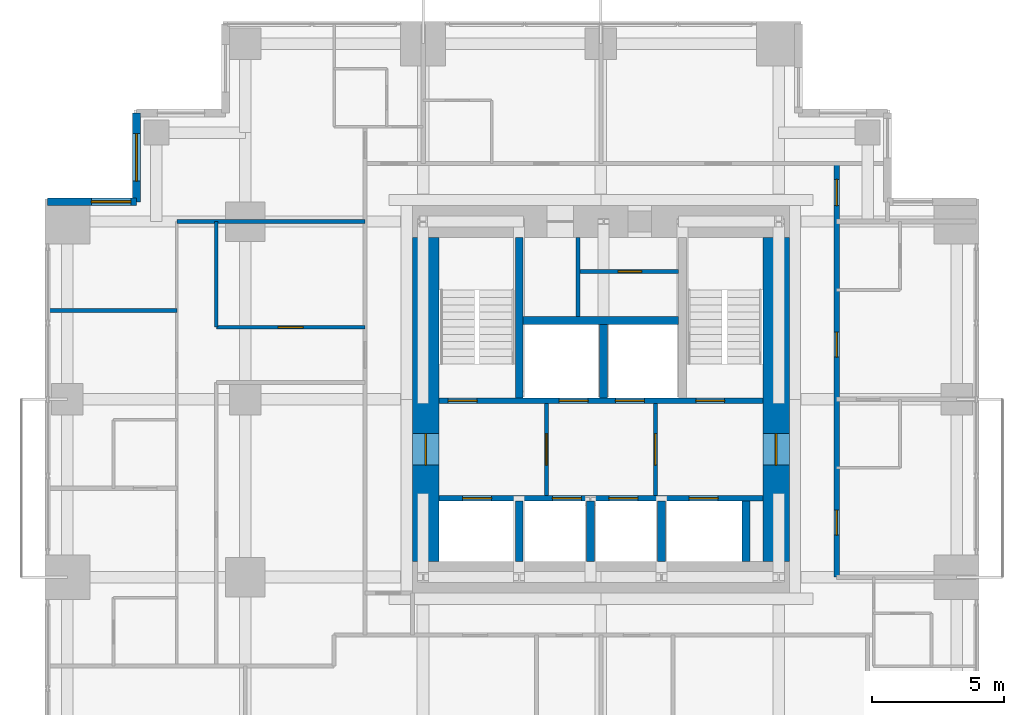
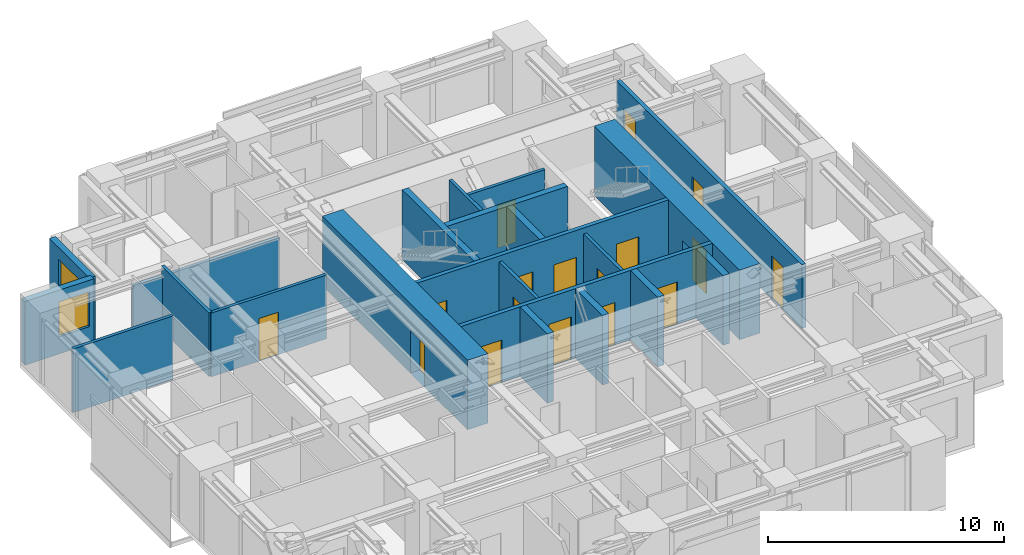
# One storey, part 7 of 10: 22 walls, 17 doors, 2 windows, 19 openings.
"""IFC4 building model written with IfcOpenShell, lengths in metres."""

from ifc_helpers import new_model, si_unit, direction, frame, frame_2d, origin, place, context, subcontext, project, spatial, rectangle, extrude, material, layer, layer_set, type_object, element, fill, save


model = new_model("IFC4")

# Units and contexts
model_context = context("Model", 3, precision=1e-05, world=origin(), true_north=direction((0.0, 1.0)))
body_context = subcontext(model_context, "Body", "Model", "MODEL_VIEW")
ifc_project = project(units=[si_unit("LENGTHUNIT", "METRE"), si_unit("AREAUNIT", "SQUARE_METRE"), si_unit("VOLUMEUNIT", "CUBIC_METRE"), si_unit("PLANEANGLEUNIT", "RADIAN"), si_unit("MASSUNIT", "GRAM", prefix="KILO")], contexts=[model_context])

# Site, building, storey
site_placement = place(None, origin())
site = spatial("IfcSite", under=ifc_project, at=site_placement, CompositionType="ELEMENT")
building_placement = place(site_placement, origin())
building = spatial("IfcBuilding", under=site, at=building_placement, Name="Nyansa Garden Tower", CompositionType="ELEMENT")
storey_placement = place(building_placement, frame((0.0, 0.0, 196.199951171875)))
storey = spatial("IfcBuildingStorey", under=building, at=storey_placement, Name="L53", CompositionType="ELEMENT", Elevation=196.199951171875)

# Wall, openings, doors
ifc_material_1 = material(Name="Concrete C70/85", Category="concrete")
ifc_layer_1 = layer(ifc_material_1, 0.199951171875)
ifc_layer_set_1 = layer_set([ifc_layer_1], Name="Core inner wall CI200")
wall_type_1 = type_object("IfcWallType", Name="Core inner wall CI200", PredefinedType="SHEAR", material=ifc_layer_set_1)
wall_1_placement = place(storey_placement, frame((14.10009765625, 16.5, 0.0), z_axis=(0.0, 0.0, 1.0), x_axis=(1.0, 0.0, 0.0)))
wall_1 = element("IfcWall", 1, at=wall_1_placement, inside=storey, type_object=wall_type_1, Name="Core inner wall L53", PredefinedType="SHEAR", context=body_context, shape_type="SweptSolid", body=[
    extrude(rectangle(XDim=12.2998046875, YDim=0.199951171875, at=frame_2d((6.14990234375, 0.0))), origin(), (0.0, 0.0, 1.0), 3.60009765625),
])
opening_1_placement = place(wall_1_placement, frame((0.89990234375, 0.0, 0.0)))
opening_1 = element("IfcOpeningElement", 2, at=opening_1_placement, cuts=wall_1, Name="Opening LD-F", PredefinedType="OPENING", context=body_context, shape_type="SweptSolid", body=[
    extrude(rectangle(XDim=1.10009765625, YDim=2.199951171875, at=frame_2d((0.550048828125, 1.10009765625))), frame((0.0, 0.10986328125, 0.0), z_axis=(0.0, -1.0, 0.0), x_axis=(1.0, 0.0, 0.0)), (0.0, 0.0, 1.0), 0.219970703125),
])
opening_2_placement = place(wall_1_placement, frame((4.31005859375, 0.0, 0.0)))
opening_2 = element("IfcOpeningElement", 3, at=opening_2_placement, cuts=wall_1, Name="Opening LD-B", PredefinedType="OPENING", context=body_context, shape_type="SweptSolid", body=[
    extrude(rectangle(XDim=1.10009765625, YDim=2.199951171875, at=frame_2d((0.550048828125, 1.10009765625))), frame((0.0, 0.10986328125, 0.0), z_axis=(0.0, -1.0, 0.0), x_axis=(1.0, 0.0, 0.0)), (0.0, 0.0, 1.0), 0.219970703125),
])
opening_3_placement = place(wall_1_placement, frame((6.449951171875, 0.0, 0.0)))
opening_3 = element("IfcOpeningElement", 4, at=opening_3_placement, cuts=wall_1, Name="Opening LD-B", PredefinedType="OPENING", context=body_context, shape_type="SweptSolid", body=[
    extrude(rectangle(XDim=1.10009765625, YDim=2.199951171875, at=frame_2d((0.550048828125, 1.10009765625))), frame((0.0, 0.10986328125, 0.0), z_axis=(0.0, -1.0, 0.0), x_axis=(1.0, 0.0, 0.0)), (0.0, 0.0, 1.0), 0.219970703125),
])
opening_4_placement = place(wall_1_placement, frame((9.5, 0.0, 0.0)))
opening_4 = element("IfcOpeningElement", 5, at=opening_4_placement, cuts=wall_1, Name="Opening LD-F", PredefinedType="OPENING", context=body_context, shape_type="SweptSolid", body=[
    extrude(rectangle(XDim=1.10009765625, YDim=2.199951171875, at=frame_2d((0.550048828125, 1.10009765625))), frame((0.0, 0.10986328125, 0.0), z_axis=(0.0, -1.0, 0.0), x_axis=(1.0, 0.0, 0.0)), (0.0, 0.0, 1.0), 0.219970703125),
])
ifc_material_2 = material(Name="Stainless steel centre-opening landing door of the high-rise lift, E 120", Category="steel")
door_type_1 = type_object("IfcDoorType", Name="Lift landing door LD-B 1100x2200", OperationType="DOUBLE_DOOR_SLIDING", PredefinedType="DOOR", material=ifc_material_2)
door_1_placement = place(opening_2_placement, origin())
door_1 = element("IfcDoor", 6, at=door_1_placement, inside=storey, type_object=door_type_1, Name="Landing door B1", OperationType="DOUBLE_DOOR_SLIDING", OverallHeight=2.199951171875, OverallWidth=1.10009765625, PredefinedType="DOOR", context=body_context, shape_type="SweptSolid", body=[
    extrude(rectangle(XDim=1.10009765625, YDim=2.199951171875, at=frame_2d((0.550048828125, 1.10009765625))), frame((0.0, 0.02490234375, 0.0), z_axis=(0.0, -1.0, 0.0), x_axis=(1.0, 0.0, 0.0)), (0.0, 0.0, 1.0), 0.050048828125),
])
fill(opening_2, door_1)
door_2_placement = place(opening_3_placement, origin())
door_2 = element("IfcDoor", 7, at=door_2_placement, inside=storey, type_object=door_type_1, Name="Landing door B2", OperationType="DOUBLE_DOOR_SLIDING", OverallHeight=2.199951171875, OverallWidth=1.10009765625, PredefinedType="DOOR", context=body_context, shape_type="SweptSolid", body=[
    extrude(rectangle(XDim=1.10009765625, YDim=2.199951171875, at=frame_2d((0.550048828125, 1.10009765625))), frame((0.0, 0.02490234375, 0.0), z_axis=(0.0, -1.0, 0.0), x_axis=(1.0, 0.0, 0.0)), (0.0, 0.0, 1.0), 0.050048828125),
])
fill(opening_3, door_2)
ifc_material_3 = material(Name="Stainless steel centre-opening landing door of the firefighting lift, EN 81-72, E 120", Category="steel")
door_type_2 = type_object("IfcDoorType", Name="Lift landing door LD-F 1100x2200", OperationType="DOUBLE_DOOR_SLIDING", PredefinedType="DOOR", material=ifc_material_3)
door_3_placement = place(opening_1_placement, origin())
door_3 = element("IfcDoor", 8, at=door_3_placement, inside=storey, type_object=door_type_2, Name="Landing door FF1", OperationType="DOUBLE_DOOR_SLIDING", OverallHeight=2.199951171875, OverallWidth=1.10009765625, PredefinedType="DOOR", context=body_context, shape_type="SweptSolid", body=[
    extrude(rectangle(XDim=1.10009765625, YDim=2.199951171875, at=frame_2d((0.550048828125, 1.10009765625))), frame((0.0, 0.02490234375, 0.0), z_axis=(0.0, -1.0, 0.0), x_axis=(1.0, 0.0, 0.0)), (0.0, 0.0, 1.0), 0.050048828125),
])
fill(opening_1, door_3)
door_4_placement = place(opening_4_placement, origin())
door_4 = element("IfcDoor", 9, at=door_4_placement, inside=storey, type_object=door_type_2, Name="Landing door FF2", OperationType="DOUBLE_DOOR_SLIDING", OverallHeight=2.199951171875, OverallWidth=1.10009765625, PredefinedType="DOOR", context=body_context, shape_type="SweptSolid", body=[
    extrude(rectangle(XDim=1.10009765625, YDim=2.199951171875, at=frame_2d((0.550048828125, 1.10009765625))), frame((0.0, 0.02490234375, 0.0), z_axis=(0.0, -1.0, 0.0), x_axis=(1.0, 0.0, 0.0)), (0.0, 0.0, 1.0), 0.050048828125),
])
fill(opening_4, door_4)

wall_2_placement = place(storey_placement, frame((14.10009765625, 20.199951171875, 0.0), z_axis=(0.0, 0.0, 1.0), x_axis=(1.0, 0.0, 0.0)))
wall_2 = element("IfcWall", 10, at=wall_2_placement, inside=storey, type_object=wall_type_1, Name="Core inner wall L53", PredefinedType="SHEAR", context=body_context, shape_type="SweptSolid", body=[
    extrude(rectangle(XDim=12.2998046875, YDim=0.199951171875, at=frame_2d((6.14990234375, 0.0))), origin(), (0.0, 0.0, 1.0), 3.60009765625),
])
opening_5_placement = place(wall_2_placement, frame((4.56005859375, 0.0, 0.0)))
opening_5 = element("IfcOpeningElement", 11, at=opening_5_placement, cuts=wall_2, Name="Opening LD-B", PredefinedType="OPENING", context=body_context, shape_type="SweptSolid", body=[
    extrude(rectangle(XDim=1.10009765625, YDim=2.199951171875, at=frame_2d((0.550048828125, 1.10009765625))), frame((0.0, 0.10986328125, 0.0), z_axis=(0.0, -1.0, 0.0), x_axis=(1.0, 0.0, 0.0)), (0.0, 0.0, 1.0), 0.219970703125),
])
opening_6_placement = place(wall_2_placement, frame((6.699951171875, 0.0, 0.0)))
opening_6 = element("IfcOpeningElement", 12, at=opening_6_placement, cuts=wall_2, Name="Opening LD-B", PredefinedType="OPENING", context=body_context, shape_type="SweptSolid", body=[
    extrude(rectangle(XDim=1.10009765625, YDim=2.199951171875, at=frame_2d((0.550048828125, 1.10009765625))), frame((0.0, 0.10986328125, 0.0), z_axis=(0.0, -1.0, 0.0), x_axis=(1.0, 0.0, 0.0)), (0.0, 0.0, 1.0), 0.219970703125),
])
opening_7_placement = place(wall_2_placement, frame((0.35009765625, 0.0, 0.0)))
opening_7 = element("IfcOpeningElement", 13, at=opening_7_placement, cuts=wall_2, Name="Opening D05", PredefinedType="OPENING", context=body_context, shape_type="SweptSolid", body=[
    extrude(rectangle(XDim=1.10009765625, YDim=2.199951171875, at=frame_2d((0.550048828125, 1.10009765625))), frame((0.0, 0.10986328125, 0.0), z_axis=(0.0, -1.0, 0.0), x_axis=(1.0, 0.0, 0.0)), (0.0, 0.0, 1.0), 0.219970703125),
])
opening_8_placement = place(wall_2_placement, frame((9.75, 0.0, 0.0)))
opening_8 = element("IfcOpeningElement", 14, at=opening_8_placement, cuts=wall_2, Name="Opening D05", PredefinedType="OPENING", context=body_context, shape_type="SweptSolid", body=[
    extrude(rectangle(XDim=1.10009765625, YDim=2.199951171875, at=frame_2d((0.550048828125, 1.10009765625))), frame((0.0, 0.10986328125, 0.0), z_axis=(0.0, -1.0, 0.0), x_axis=(1.0, 0.0, 0.0)), (0.0, 0.0, 1.0), 0.219970703125),
])
door_5_placement = place(opening_5_placement, origin())
door_5 = element("IfcDoor", 15, at=door_5_placement, inside=storey, type_object=door_type_1, Name="Landing door B3", OperationType="DOUBLE_DOOR_SLIDING", OverallHeight=2.199951171875, OverallWidth=1.10009765625, PredefinedType="DOOR", context=body_context, shape_type="SweptSolid", body=[
    extrude(rectangle(XDim=1.10009765625, YDim=2.199951171875, at=frame_2d((0.550048828125, 1.10009765625))), frame((0.0, 0.02490234375, 0.0), z_axis=(0.0, -1.0, 0.0), x_axis=(1.0, 0.0, 0.0)), (0.0, 0.0, 1.0), 0.050048828125),
])
fill(opening_5, door_5)
door_6_placement = place(opening_6_placement, origin())
door_6 = element("IfcDoor", 16, at=door_6_placement, inside=storey, type_object=door_type_1, Name="Landing door B4", OperationType="DOUBLE_DOOR_SLIDING", OverallHeight=2.199951171875, OverallWidth=1.10009765625, PredefinedType="DOOR", context=body_context, shape_type="SweptSolid", body=[
    extrude(rectangle(XDim=1.10009765625, YDim=2.199951171875, at=frame_2d((0.550048828125, 1.10009765625))), frame((0.0, 0.02490234375, 0.0), z_axis=(0.0, -1.0, 0.0), x_axis=(1.0, 0.0, 0.0)), (0.0, 0.0, 1.0), 0.050048828125),
])
fill(opening_6, door_6)
ifc_material_4 = material(Name="Steel door, 120 minute fire resisting", Category="steel")
door_type_3 = type_object("IfcDoorType", Name="Stair door D05 1100x2200", OperationType="SINGLE_SWING_LEFT", PredefinedType="DOOR", material=ifc_material_4)
door_7_placement = place(opening_7_placement, origin())
door_7 = element("IfcDoor", 17, at=door_7_placement, inside=storey, type_object=door_type_3, Name="Stair S1 door", OperationType="SINGLE_SWING_LEFT", OverallHeight=2.199951171875, OverallWidth=1.10009765625, PredefinedType="DOOR", context=body_context, shape_type="SweptSolid", body=[
    extrude(rectangle(XDim=1.10009765625, YDim=2.199951171875, at=frame_2d((0.550048828125, 1.10009765625))), frame((0.0, 0.02490234375, 0.0), z_axis=(0.0, -1.0, 0.0), x_axis=(1.0, 0.0, 0.0)), (0.0, 0.0, 1.0), 0.050048828125),
])
fill(opening_7, door_7)
door_8_placement = place(opening_8_placement, origin())
door_8 = element("IfcDoor", 18, at=door_8_placement, inside=storey, type_object=door_type_3, Name="Stair S2 door", OperationType="SINGLE_SWING_LEFT", OverallHeight=2.199951171875, OverallWidth=1.10009765625, PredefinedType="DOOR", context=body_context, shape_type="SweptSolid", body=[
    extrude(rectangle(XDim=1.10009765625, YDim=2.199951171875, at=frame_2d((0.550048828125, 1.10009765625))), frame((0.0, 0.02490234375, 0.0), z_axis=(0.0, -1.0, 0.0), x_axis=(1.0, 0.0, 0.0)), (0.0, 0.0, 1.0), 0.050048828125),
])
fill(opening_8, door_8)

# Walls
ifc_material_5 = material(Name="Concrete C70/85", Category="concrete")
ifc_layer_2 = layer(ifc_material_5, 0.300048828125)
ifc_layer_set_2 = layer_set([ifc_layer_2], Name="Core inner wall CI300")
wall_type_2 = type_object("IfcWallType", Name="Core inner wall CI300", PredefinedType="SHEAR", material=ifc_layer_set_2)
wall_3_placement = place(storey_placement, frame((17.14990234375, 20.300048828125, 0.0), z_axis=(0.0, 0.0, 1.0), x_axis=(0.0, 1.0, 0.0)))
element("IfcWall", 19, at=wall_3_placement, inside=storey, type_object=wall_type_2, Name="Core inner wall L53", PredefinedType="SHEAR", context=body_context, shape_type="SweptSolid", body=[
    extrude(rectangle(XDim=6.099853515625, YDim=0.300048828125, at=frame_2d((3.0498046875, 0.0))), origin(), (0.0, 0.0, 1.0), 3.60009765625),
])
wall_4_placement = place(storey_placement, frame((20.35009765625, 20.300048828125, 0.0), z_axis=(0.0, 0.0, 1.0), x_axis=(0.0, 1.0, 0.0)))
element("IfcWall", 20, at=wall_4_placement, inside=storey, type_object=wall_type_2, Name="Core inner wall L53", PredefinedType="SHEAR", context=body_context, shape_type="SweptSolid", body=[
    extrude(rectangle(XDim=2.800048828125, YDim=0.300048828125, at=frame_2d((1.39990234375, 0.0))), origin(), (0.0, 0.0, 1.0), 3.60009765625),
])
wall_5_placement = place(storey_placement, frame((17.300048828125, 23.25, 0.0), z_axis=(0.0, 0.0, 1.0), x_axis=(1.0, 0.0, 0.0)))
element("IfcWall", 21, at=wall_5_placement, inside=storey, type_object=wall_type_2, Name="Core inner wall L53", PredefinedType="SHEAR", context=body_context, shape_type="SweptSolid", body=[
    extrude(rectangle(XDim=5.89990234375, YDim=0.300048828125, at=frame_2d((2.949951171875, 0.0))), origin(), (0.0, 0.0, 1.0), 3.60009765625),
])
for number, where, z_axis, x_axis, name in (
    (22, (17.14990234375, 14.10009765625, 0.0), (0.0, 0.0, 1.0), (0.0, 1.0, 0.0), "Core inner wall L53"),
    (23, (19.85009765625, 14.10009765625, 0.0), (0.0, 0.0, 1.0), (0.0, 1.0, 0.0), "Core inner wall L53"),
    (24, (22.550048828125, 14.10009765625, 0.0), (0.0, 0.0, 1.0), (0.0, 1.0, 0.0), "Core inner wall L53"),
    (25, (25.75, 14.10009765625, 0.0), (0.0, 0.0, 1.0), (0.0, 1.0, 0.0), "Core inner wall L53"),
):
    element("IfcWall", number, at=place(storey_placement, frame(where, z_axis=z_axis, x_axis=x_axis)), inside=storey, type_object=wall_type_2, Name=name, PredefinedType="SHEAR", context=body_context, shape_type="SweptSolid", body=[
        extrude(rectangle(XDim=2.2998046875, YDim=0.300048828125, at=frame_2d((1.14990234375, 0.0))), origin(), (0.0, 0.0, 1.0), 3.60009765625),
    ])

# Wall, opening, door
ifc_material_6 = material(Name="Concrete C80/95", Category="concrete")
ifc_layer_3 = layer(ifc_material_6, 1.0)
ifc_layer_set_3 = layer_set([ifc_layer_3], Name="Core wall CW1000")
wall_type_3 = type_object("IfcWallType", Name="Core wall CW1000", PredefinedType="SHEAR", material=ifc_layer_set_3)
wall_6_placement = place(storey_placement, frame((26.89990234375, 14.10009765625, 0.0), z_axis=(0.0, 0.0, 1.0), x_axis=(0.0, 1.0, 0.0)))
wall_6 = element("IfcWall", 26, at=wall_6_placement, inside=storey, type_object=wall_type_3, Name="Core wall E L53", PredefinedType="SHEAR", context=body_context, shape_type="SweptSolid", body=[
    extrude(rectangle(XDim=12.2998046875, YDim=1.0, at=frame_2d((6.14990234375, 0.0))), origin(), (0.0, 0.0, 1.0), 3.60009765625),
])
opening_9_placement = place(wall_6_placement, frame((3.64990234375, 0.0, 0.0)))
opening_9 = element("IfcOpeningElement", 27, at=opening_9_placement, cuts=wall_6, Name="Opening D06", PredefinedType="OPENING", context=body_context, shape_type="SweptSolid", body=[
    extrude(rectangle(XDim=1.199951171875, YDim=2.199951171875, at=frame_2d((0.60009765625, 1.10009765625))), frame((0.0, 0.510009765625, 0.0), z_axis=(0.0, -1.0, 0.0), x_axis=(1.0, 0.0, 0.0)), (0.0, 0.0, 1.0), 1.02001953125),
])
ifc_material_7 = material(Name="Steel door, 120 minute fire resisting", Category="steel")
door_type_4 = type_object("IfcDoorType", Name="Lobby door D06 1200x2200", OperationType="DOUBLE_DOOR_SINGLE_SWING", PredefinedType="DOOR", material=ifc_material_7)
door_9_placement = place(opening_9_placement, origin())
door_9 = element("IfcDoor", 28, at=door_9_placement, inside=storey, type_object=door_type_4, Name="Lift lobby door east", OperationType="DOUBLE_DOOR_SINGLE_SWING", OverallHeight=2.199951171875, OverallWidth=1.199951171875, PredefinedType="DOOR", context=body_context, shape_type="SweptSolid", body=[
    extrude(rectangle(XDim=1.199951171875, YDim=2.199951171875, at=frame_2d((0.60009765625, 1.10009765625))), frame((0.0, 0.02490234375, 0.0), z_axis=(0.0, -1.0, 0.0), x_axis=(1.0, 0.0, 0.0)), (0.0, 0.0, 1.0), 0.050048828125),
])
fill(opening_9, door_9)

wall_7_placement = place(storey_placement, frame((13.60009765625, 26.39990234375, 0.0), z_axis=(0.0, 0.0, 1.0), x_axis=(0.0, -1.0, 0.0)))
wall_7 = element("IfcWall", 29, at=wall_7_placement, inside=storey, type_object=wall_type_3, Name="Core wall W L53", PredefinedType="SHEAR", context=body_context, shape_type="SweptSolid", body=[
    extrude(rectangle(XDim=12.2998046875, YDim=1.0, at=frame_2d((6.14990234375, 0.0))), origin(), (0.0, 0.0, 1.0), 3.60009765625),
])
opening_10_placement = place(wall_7_placement, frame((7.449951171875, 0.0, 0.0)))
opening_10 = element("IfcOpeningElement", 30, at=opening_10_placement, cuts=wall_7, Name="Opening D06", PredefinedType="OPENING", context=body_context, shape_type="SweptSolid", body=[
    extrude(rectangle(XDim=1.199951171875, YDim=2.199951171875, at=frame_2d((0.60009765625, 1.10009765625))), frame((0.0, 0.510009765625, 0.0), z_axis=(0.0, -1.0, 0.0), x_axis=(1.0, 0.0, 0.0)), (0.0, 0.0, 1.0), 1.02001953125),
])
door_10_placement = place(opening_10_placement, origin())
door_10 = element("IfcDoor", 31, at=door_10_placement, inside=storey, type_object=door_type_4, Name="Lift lobby door west", OperationType="DOUBLE_DOOR_SINGLE_SWING", OverallHeight=2.199951171875, OverallWidth=1.199951171875, PredefinedType="DOOR", context=body_context, shape_type="SweptSolid", body=[
    extrude(rectangle(XDim=1.199951171875, YDim=2.199951171875, at=frame_2d((0.60009765625, 1.10009765625))), frame((0.0, 0.02490234375, 0.0), z_axis=(0.0, -1.0, 0.0), x_axis=(1.0, 0.0, 0.0)), (0.0, 0.0, 1.0), 0.050048828125),
])
fill(opening_10, door_10)

# Wall, openings, doors
ifc_material_8 = material(Name="Concrete blockwork, plastered, 60 minute fire resisting", Category="masonry")
ifc_layer_4 = layer(ifc_material_8, 0.199951171875)
ifc_layer_set_4 = layer_set([ifc_layer_4], Name="Corridor wall FW200")
wall_type_4 = type_object("IfcWallType", Name="Corridor wall FW200", PredefinedType="PARTITIONING", material=ifc_layer_set_4)
wall_8_placement = place(storey_placement, frame((29.199951171875, 13.5, 0.0), z_axis=(0.0, 0.0, 1.0), x_axis=(0.0, 1.0, 0.0)))
wall_8 = element("IfcWall", 32, at=wall_8_placement, inside=storey, type_object=wall_type_4, Name="Corridor wall", PredefinedType="PARTITIONING", context=body_context, shape_type="SweptSolid", body=[
    extrude(rectangle(XDim=15.699951171875, YDim=0.199951171875, at=frame_2d((7.85009765625, 0.0))), origin(), (0.0, 0.0, 1.0), 3.300048828125),
])
opening_11_placement = place(wall_8_placement, frame((8.35009765625, 0.0, 0.0)))
opening_11 = element("IfcOpeningElement", 33, at=opening_11_placement, cuts=wall_8, Name="Opening D14", PredefinedType="OPENING", context=body_context, shape_type="SweptSolid", body=[
    extrude(rectangle(XDim=0.949951171875, YDim=2.199951171875, at=frame_2d((0.47509765625, 1.10009765625))), frame((0.0, 0.10986328125, 0.0), z_axis=(0.0, -1.0, 0.0), x_axis=(1.0, 0.0, 0.0)), (0.0, 0.0, 1.0), 0.219970703125),
])
opening_12_placement = place(wall_8_placement, frame((1.60009765625, 0.0, 0.0)))
opening_12 = element("IfcOpeningElement", 34, at=opening_12_placement, cuts=wall_8, Name="Opening D14", PredefinedType="OPENING", context=body_context, shape_type="SweptSolid", body=[
    extrude(rectangle(XDim=0.949951171875, YDim=2.199951171875, at=frame_2d((0.47509765625, 1.10009765625))), frame((0.0, 0.10986328125, 0.0), z_axis=(0.0, -1.0, 0.0), x_axis=(1.0, 0.0, 0.0)), (0.0, 0.0, 1.0), 0.219970703125),
])
opening_13_placement = place(wall_8_placement, frame((14.10009765625, 0.0, 0.0)))
opening_13 = element("IfcOpeningElement", 35, at=opening_13_placement, cuts=wall_8, Name="Opening D03", PredefinedType="OPENING", context=body_context, shape_type="SweptSolid", body=[
    extrude(rectangle(XDim=1.0, YDim=2.199951171875, at=frame_2d((0.5, 1.10009765625))), frame((0.0, 0.10986328125, 0.0), z_axis=(0.0, -1.0, 0.0), x_axis=(1.0, 0.0, 0.0)), (0.0, 0.0, 1.0), 0.219970703125),
])
ifc_material_9 = material(Name="Timber flush door, 60 minute fire resisting", Category="wood")
door_type_5 = type_object("IfcDoorType", Name="Cluster entrance door D03 1000x2200", OperationType="SINGLE_SWING_LEFT", PredefinedType="DOOR", material=ifc_material_9)
door_11_placement = place(opening_13_placement, origin())
door_11 = element("IfcDoor", 36, at=door_11_placement, inside=storey, type_object=door_type_5, Name="Door L53-038", OperationType="SINGLE_SWING_LEFT", OverallHeight=2.199951171875, OverallWidth=1.0, PredefinedType="DOOR", context=body_context, shape_type="SweptSolid", body=[
    extrude(rectangle(XDim=1.0, YDim=2.199951171875, at=frame_2d((0.5, 1.10009765625))), frame((0.0, 0.02490234375, 0.0), z_axis=(0.0, -1.0, 0.0), x_axis=(1.0, 0.0, 0.0)), (0.0, 0.0, 1.0), 0.050048828125),
])
fill(opening_13, door_11)
ifc_material_10 = material(Name="Timber flush door, 60 minute fire resisting, self-closing", Category="wood")
door_type_6 = type_object("IfcDoorType", Name="Studio entrance door D14 950x2200", OperationType="SINGLE_SWING_LEFT", PredefinedType="DOOR", material=ifc_material_10)
door_12_placement = place(opening_11_placement, origin())
door_12 = element("IfcDoor", 37, at=door_12_placement, inside=storey, type_object=door_type_6, Name="Door L53-032", OperationType="SINGLE_SWING_LEFT", OverallHeight=2.199951171875, OverallWidth=0.949951171875, PredefinedType="DOOR", context=body_context, shape_type="SweptSolid", body=[
    extrude(rectangle(XDim=0.949951171875, YDim=2.199951171875, at=frame_2d((0.47509765625, 1.10009765625))), frame((0.0, 0.02490234375, 0.0), z_axis=(0.0, -1.0, 0.0), x_axis=(1.0, 0.0, 0.0)), (0.0, 0.0, 1.0), 0.050048828125),
])
fill(opening_11, door_12)
door_13_placement = place(opening_12_placement, origin())
door_13 = element("IfcDoor", 38, at=door_13_placement, inside=storey, type_object=door_type_6, Name="Door L53-034", OperationType="SINGLE_SWING_LEFT", OverallHeight=2.199951171875, OverallWidth=0.949951171875, PredefinedType="DOOR", context=body_context, shape_type="SweptSolid", body=[
    extrude(rectangle(XDim=0.949951171875, YDim=2.199951171875, at=frame_2d((0.47509765625, 1.10009765625))), frame((0.0, 0.02490234375, 0.0), z_axis=(0.0, -1.0, 0.0), x_axis=(1.0, 0.0, 0.0)), (0.0, 0.0, 1.0), 0.050048828125),
])
fill(opening_12, door_13)

# Wall, opening, door
ifc_material_11 = material(Name="Blockwork, plastered both sides", Category="masonry")
ifc_layer_5 = layer(ifc_material_11, 0.14990234375)
ifc_layer_set_5 = layer_set([ifc_layer_5], Name="Partition PW150")
wall_type_5 = type_object("IfcWallType", Name="Partition PW150", PredefinedType="PARTITIONING", material=ifc_layer_set_5)
wall_9_placement = place(storey_placement, frame((18.18505859375, 16.60009765625, 0.0), z_axis=(0.0, 0.0, 1.0), x_axis=(0.0, 1.0, 0.0)))
wall_9 = element("IfcWall", 39, at=wall_9_placement, inside=storey, type_object=wall_type_5, Name="Partition", PredefinedType="PARTITIONING", context=body_context, shape_type="SweptSolid", body=[
    extrude(rectangle(XDim=3.5, YDim=0.14990234375, at=frame_2d((1.75, 0.0))), origin(), (0.0, 0.0, 1.0), 3.300048828125),
])
opening_14_placement = place(wall_9_placement, frame((1.14990234375, 0.0, 0.0)))
opening_14 = element("IfcOpeningElement", 40, at=opening_14_placement, cuts=wall_9, Name="Opening D06", PredefinedType="OPENING", context=body_context, shape_type="SweptSolid", body=[
    extrude(rectangle(XDim=1.199951171875, YDim=2.199951171875, at=frame_2d((0.60009765625, 1.10009765625))), frame((0.0, 0.0849609375, 0.0), z_axis=(0.0, -1.0, 0.0), x_axis=(1.0, 0.0, 0.0)), (0.0, 0.0, 1.0), 0.169921875),
])
door_14_placement = place(opening_14_placement, origin())
door_14 = element("IfcDoor", 41, at=door_14_placement, inside=storey, type_object=door_type_4, Name="Passenger lift lobby door", OperationType="DOUBLE_DOOR_SINGLE_SWING", OverallHeight=2.199951171875, OverallWidth=1.199951171875, PredefinedType="DOOR", context=body_context, shape_type="SweptSolid", body=[
    extrude(rectangle(XDim=1.199951171875, YDim=2.199951171875, at=frame_2d((0.60009765625, 1.10009765625))), frame((0.0, 0.02490234375, 0.0), z_axis=(0.0, -1.0, 0.0), x_axis=(1.0, 0.0, 0.0)), (0.0, 0.0, 1.0), 0.050048828125),
])
fill(opening_14, door_14)

wall_10_placement = place(storey_placement, frame((22.31494140625, 16.60009765625, 0.0), z_axis=(0.0, 0.0, 1.0), x_axis=(0.0, 1.0, 0.0)))
wall_10 = element("IfcWall", 42, at=wall_10_placement, inside=storey, type_object=wall_type_5, Name="Partition", PredefinedType="PARTITIONING", context=body_context, shape_type="SweptSolid", body=[
    extrude(rectangle(XDim=3.5, YDim=0.14990234375, at=frame_2d((1.75, 0.0))), origin(), (0.0, 0.0, 1.0), 3.300048828125),
])
opening_15_placement = place(wall_10_placement, frame((1.14990234375, 0.0, 0.0)))
opening_15 = element("IfcOpeningElement", 43, at=opening_15_placement, cuts=wall_10, Name="Opening D06", PredefinedType="OPENING", context=body_context, shape_type="SweptSolid", body=[
    extrude(rectangle(XDim=1.199951171875, YDim=2.199951171875, at=frame_2d((0.60009765625, 1.10009765625))), frame((0.0, 0.0849609375, 0.0), z_axis=(0.0, -1.0, 0.0), x_axis=(1.0, 0.0, 0.0)), (0.0, 0.0, 1.0), 0.169921875),
])
door_15_placement = place(opening_15_placement, origin())
door_15 = element("IfcDoor", 44, at=door_15_placement, inside=storey, type_object=door_type_4, Name="Passenger lift lobby door", OperationType="DOUBLE_DOOR_SINGLE_SWING", OverallHeight=2.199951171875, OverallWidth=1.199951171875, PredefinedType="DOOR", context=body_context, shape_type="SweptSolid", body=[
    extrude(rectangle(XDim=1.199951171875, YDim=2.199951171875, at=frame_2d((0.60009765625, 1.10009765625))), frame((0.0, 0.02490234375, 0.0), z_axis=(0.0, -1.0, 0.0), x_axis=(1.0, 0.0, 0.0)), (0.0, 0.0, 1.0), 0.050048828125),
])
fill(opening_15, door_15)

# Wall
wall_11_placement = place(storey_placement, frame((19.375, 23.39990234375, 0.0), z_axis=(0.0, 0.0, 1.0), x_axis=(0.0, 1.0, 0.0)))
element("IfcWall", 45, at=wall_11_placement, inside=storey, type_object=wall_type_5, Name="Partition", PredefinedType="PARTITIONING", context=body_context, shape_type="SweptSolid", body=[
    extrude(rectangle(XDim=3.0, YDim=0.14990234375, at=frame_2d((1.5, 0.0))), origin(), (0.0, 0.0, 1.0), 3.300048828125),
])

# Wall, opening, door
wall_12_placement = place(storey_placement, frame((19.449951171875, 25.10009765625, 0.0), z_axis=(0.0, 0.0, 1.0), x_axis=(1.0, 0.0, 0.0)))
wall_12 = element("IfcWall", 46, at=wall_12_placement, inside=storey, type_object=wall_type_5, Name="Partition", PredefinedType="PARTITIONING", context=body_context, shape_type="SweptSolid", body=[
    extrude(rectangle(XDim=3.75, YDim=0.14990234375, at=frame_2d((1.875, 0.0))), origin(), (0.0, 0.0, 1.0), 3.300048828125),
])
opening_16_placement = place(wall_12_placement, frame((1.449951171875, 0.0, 0.0)))
opening_16 = element("IfcOpeningElement", 47, at=opening_16_placement, cuts=wall_12, Name="Opening D02", PredefinedType="OPENING", context=body_context, shape_type="SweptSolid", body=[
    extrude(rectangle(XDim=0.89990234375, YDim=2.199951171875, at=frame_2d((0.449951171875, 1.10009765625))), frame((0.0, 0.0849609375, 0.0), z_axis=(0.0, -1.0, 0.0), x_axis=(1.0, 0.0, 0.0)), (0.0, 0.0, 1.0), 0.169921875),
])
ifc_material_12 = material(Name="Timber flush door", Category="wood")
door_type_7 = type_object("IfcDoorType", Name="En-suite door D02 900x2200", OperationType="SINGLE_SWING_RIGHT", PredefinedType="DOOR", material=ifc_material_12)
door_16_placement = place(opening_16_placement, origin())
door_16 = element("IfcDoor", 48, at=door_16_placement, inside=storey, type_object=door_type_7, Name="Staff WC door", OperationType="SINGLE_SWING_RIGHT", OverallHeight=2.199951171875, OverallWidth=0.89990234375, PredefinedType="DOOR", context=body_context, shape_type="SweptSolid", body=[
    extrude(rectangle(XDim=0.89990234375, YDim=2.199951171875, at=frame_2d((0.449951171875, 1.10009765625))), frame((0.0, 0.02490234375, 0.0), z_axis=(0.0, -1.0, 0.0), x_axis=(1.0, 0.0, 0.0)), (0.0, 0.0, 1.0), 0.050048828125),
])
fill(opening_16, door_16)

# Walls
wall_13_placement = place(storey_placement, frame((-0.73388671875, 23.625, 0.0), z_axis=(0.0, 0.0, 1.0), x_axis=(1.0, 0.0, 0.0)))
element("IfcWall", 49, at=wall_13_placement, inside=storey, type_object=wall_type_5, Name="Partition", PredefinedType="PARTITIONING", context=body_context, shape_type="SweptSolid", body=[
    extrude(rectangle(XDim=4.8837890625, YDim=0.14990234375, at=frame_2d((2.44189453125, 0.0))), origin(), (0.0, 0.0, 1.0), 3.300048828125),
])
wall_14_placement = place(storey_placement, frame((4.14990234375, 27.0, 0.0), z_axis=(0.0, 0.0, 1.0), x_axis=(1.0, 0.0, 0.0)))
element("IfcWall", 50, at=wall_14_placement, inside=storey, type_object=wall_type_5, Name="Partition", PredefinedType="PARTITIONING", context=body_context, shape_type="SweptSolid", body=[
    extrude(rectangle(XDim=7.150146484375, YDim=0.14990234375, at=frame_2d((3.5751953125, 0.0))), origin(), (0.0, 0.0, 1.0), 2.802001953125),
])
wall_15_placement = place(storey_placement, frame((5.64990234375, 22.987548828125, 0.0), z_axis=(0.0, 0.0, 1.0), x_axis=(0.0, 1.0, 0.0)))
element("IfcWall", 51, at=wall_15_placement, inside=storey, type_object=wall_type_5, Name="Partition", PredefinedType="PARTITIONING", context=body_context, shape_type="SweptSolid", body=[
    extrude(rectangle(XDim=4.012451171875, YDim=0.14990234375, at=frame_2d((2.00634765625, 0.0))), origin(), (0.0, 0.0, 1.0), 3.300048828125),
])

# Wall, opening, door
wall_16_placement = place(storey_placement, frame((5.64990234375, 22.988037109375, 0.0), z_axis=(0.0, 0.0, 1.0), x_axis=(1.0, 0.0, 0.0)))
wall_16 = element("IfcWall", 52, at=wall_16_placement, inside=storey, type_object=wall_type_5, Name="Partition", PredefinedType="PARTITIONING", context=body_context, shape_type="SweptSolid", body=[
    extrude(rectangle(XDim=5.650146484375, YDim=0.14990234375, at=frame_2d((2.8251953125, 0.0))), origin(), (0.0, 0.0, 1.0), 3.300048828125),
])
opening_17_placement = place(wall_16_placement, frame((2.35009765625, 0.0, 0.0)))
opening_17 = element("IfcOpeningElement", 53, at=opening_17_placement, cuts=wall_16, Name="Opening D01", PredefinedType="OPENING", context=body_context, shape_type="SweptSolid", body=[
    extrude(rectangle(XDim=0.949951171875, YDim=2.199951171875, at=frame_2d((0.47509765625, 1.10009765625))), frame((0.0, 0.0849609375, 0.0), z_axis=(0.0, -1.0, 0.0), x_axis=(1.0, 0.0, 0.0)), (0.0, 0.0, 1.0), 0.169921875),
])
ifc_material_13 = material(Name="Timber flush door, 30 minute fire resisting", Category="wood")
door_type_8 = type_object("IfcDoorType", Name="Bedroom door D01 950x2200", OperationType="SINGLE_SWING_LEFT", PredefinedType="DOOR", material=ifc_material_13)
door_17_placement = place(opening_17_placement, origin())
door_17 = element("IfcDoor", 54, at=door_17_placement, inside=storey, type_object=door_type_8, Name="Door L53-052", OperationType="SINGLE_SWING_LEFT", OverallHeight=2.199951171875, OverallWidth=0.949951171875, PredefinedType="DOOR", context=body_context, shape_type="SweptSolid", body=[
    extrude(rectangle(XDim=0.949951171875, YDim=2.199951171875, at=frame_2d((0.47509765625, 1.10009765625))), frame((0.0, 0.02490234375, 0.0), z_axis=(0.0, -1.0, 0.0), x_axis=(1.0, 0.0, 0.0)), (0.0, 0.0, 1.0), 0.050048828125),
])
fill(opening_17, door_17)

# Wall, opening, window
ifc_material_14 = material(Name="Turquoise glazed tile on concrete blockwork", Category="masonry")
ifc_layer_6 = layer(ifc_material_14, 0.300048828125)
ifc_layer_set_6 = layer_set([ifc_layer_6], Name="Tiled corner wall TW300")
wall_type_6 = type_object("IfcWallType", Name="Tiled corner wall TW300", PredefinedType="SOLIDWALL", material=ifc_layer_set_6)
wall_17_placement = place(storey_placement, frame((2.625, 31.125, 0.0), z_axis=(0.0, 0.0, 1.0), x_axis=(0.0, -1.0, 0.0)))
wall_17 = element("IfcWall", 55, at=wall_17_placement, inside=storey, type_object=wall_type_6, Name="Tiled corner wall L53", PredefinedType="SOLIDWALL", context=body_context, shape_type="SweptSolid", body=[
    extrude(rectangle(XDim=3.375, YDim=0.300048828125, at=frame_2d((1.6875, 0.0))), origin(), (0.0, 0.0, 1.0), 3.300048828125),
])
opening_18_placement = place(wall_17_placement, frame((0.78759765625, 0.0, 0.60009765625)))
opening_18 = element("IfcOpeningElement", 56, at=opening_18_placement, cuts=wall_17, Name="Opening W2", PredefinedType="OPENING", context=body_context, shape_type="SweptSolid", body=[
    extrude(rectangle(XDim=1.800048828125, YDim=2.10009765625, at=frame_2d((0.89990234375, 1.050048828125))), frame((0.0, 0.159912109375, 0.0), z_axis=(0.0, -1.0, 0.0), x_axis=(1.0, 0.0, 0.0)), (0.0, 0.0, 1.0), 0.320068359375),
])
ifc_material_15 = material(Name="Black aluminium frame, dark tinted double glazing", Category="aluminium")
window_type_1 = type_object("IfcWindowType", Name="Window W2 1800x2100", PartitioningType="SINGLE_PANEL", PredefinedType="WINDOW", material=ifc_material_15)
window_1_placement = place(opening_18_placement, origin())
window_1 = element("IfcWindow", 57, at=window_1_placement, inside=storey, type_object=window_type_1, Name="Corner window L53", OverallHeight=2.10009765625, OverallWidth=1.800048828125, PartitioningType="SINGLE_PANEL", PredefinedType="WINDOW", context=body_context, shape_type="SweptSolid", body=[
    extrude(rectangle(XDim=1.800048828125, YDim=2.10009765625, at=frame_2d((0.89990234375, 1.050048828125))), frame((0.0, 0.030029296875, 0.0), z_axis=(0.0, -1.0, 0.0), x_axis=(1.0, 0.0, 0.0)), (0.0, 0.0, 1.0), 0.06005859375),
])
fill(opening_18, window_1)

wall_18_placement = place(storey_placement, frame((2.625, 27.75, 0.0), z_axis=(0.0, 0.0, 1.0), x_axis=(-1.0, 0.0, 0.0)))
wall_18 = element("IfcWall", 58, at=wall_18_placement, inside=storey, type_object=wall_type_6, Name="Tiled corner wall L53", PredefinedType="SOLIDWALL", context=body_context, shape_type="SweptSolid", body=[
    extrude(rectangle(XDim=3.375, YDim=0.300048828125, at=frame_2d((1.6875, 0.0))), origin(), (0.0, 0.0, 1.0), 3.300048828125),
])
opening_19_placement = place(wall_18_placement, frame((0.217529296875, 0.0, 0.89990234375)))
opening_19 = element("IfcOpeningElement", 59, at=opening_19_placement, cuts=wall_18, Name="Opening W1", PredefinedType="OPENING", context=body_context, shape_type="SweptSolid", body=[
    extrude(rectangle(XDim=1.5, YDim=1.800048828125, at=frame_2d((0.75, 0.89990234375))), frame((0.0, 0.159912109375, 0.0), z_axis=(0.0, -1.0, 0.0), x_axis=(1.0, 0.0, 0.0)), (0.0, 0.0, 1.0), 0.320068359375),
])
ifc_material_16 = material(Name="Black aluminium frame, dark tinted double glazing", Category="aluminium")
window_type_2 = type_object("IfcWindowType", Name="Window W1 1500x1800", PartitioningType="SINGLE_PANEL", PredefinedType="WINDOW", material=ifc_material_16)
window_2_placement = place(opening_19_placement, origin())
window_2 = element("IfcWindow", 60, at=window_2_placement, inside=storey, type_object=window_type_2, Name="Corner window L53", OverallHeight=1.800048828125, OverallWidth=1.5, PartitioningType="SINGLE_PANEL", PredefinedType="WINDOW", context=body_context, shape_type="SweptSolid", body=[
    extrude(rectangle(XDim=1.5, YDim=1.800048828125, at=frame_2d((0.75, 0.89990234375))), frame((0.0, 0.030029296875, 0.0), z_axis=(0.0, -1.0, 0.0), x_axis=(1.0, 0.0, 0.0)), (0.0, 0.0, 1.0), 0.06005859375),
])
fill(opening_19, window_2)

save(model, "model.ifc")
